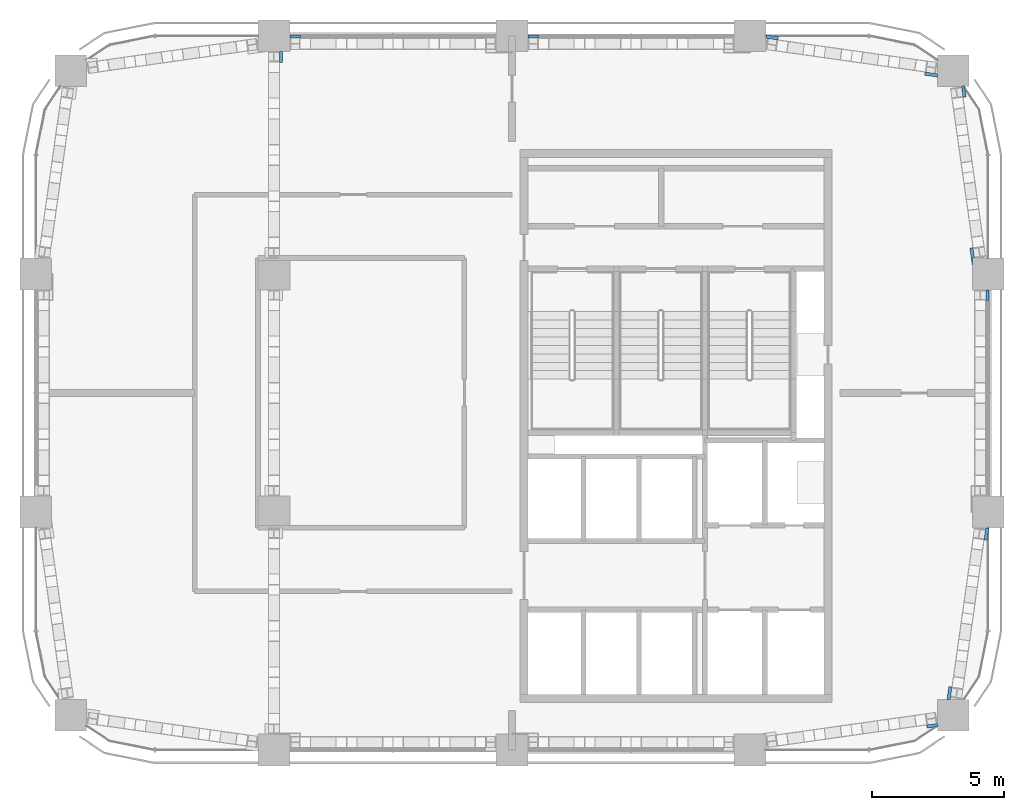
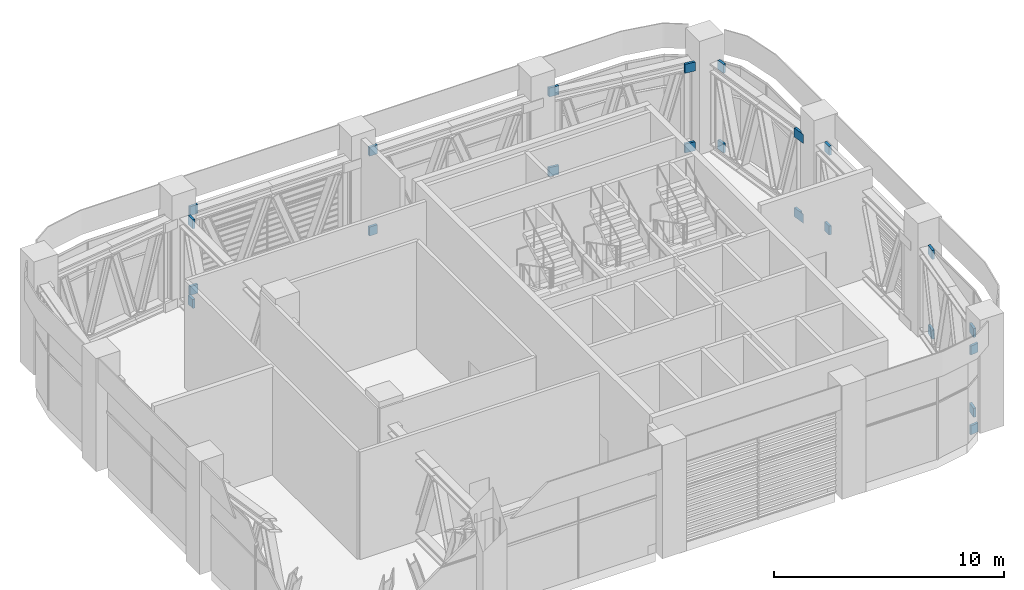
# One storey, part 12 of 14: 22 discrete accessories.
"""IFC4 building model written with IfcOpenShell, lengths in metres."""

from ifc_helpers import new_model, si_unit, direction, frame, origin, place, context, subcontext, project, spatial, polyline, outline, extrude, element, save


model = new_model("IFC4")

# Units and contexts
model_context = context("Model", 3, precision=1e-05, world=origin(), true_north=direction((0.0, 1.0)))
body_context = subcontext(model_context, "Body", "Model", "MODEL_VIEW")
ifc_project = project(units=[si_unit("LENGTHUNIT", "METRE"), si_unit("AREAUNIT", "SQUARE_METRE"), si_unit("VOLUMEUNIT", "CUBIC_METRE"), si_unit("PLANEANGLEUNIT", "RADIAN"), si_unit("MASSUNIT", "GRAM", prefix="KILO")], contexts=[model_context])

# Site, building, storey
site_placement = place(None, origin())
site = spatial("IfcSite", under=ifc_project, at=site_placement, CompositionType="ELEMENT")
building_placement = place(site_placement, origin())
building = spatial("IfcBuilding", under=site, at=building_placement, Name="Tessera Arch", CompositionType="ELEMENT")
storey_placement = place(building_placement, frame((0.0, 0.0, 295.199951171875)))
storey = spatial("IfcBuildingStorey", under=building, at=storey_placement, Name="L71", CompositionType="ELEMENT", Elevation=295.199951171875)

# Discrete accessories
discrete_accessory_1_placement = place(storey_placement, frame((0.0, 0.0, 4.225830078125)))
element("IfcDiscreteAccessory", 1, at=discrete_accessory_1_placement, inside=storey, Name="Chord seat bracket", PredefinedType="BRACKET", context=body_context, shape_type="SweptSolid", body=[
    extrude(outline(polyline([(53.912109375, 44.0), (53.912109375, 44.39990234375), (54.031982421875, 44.39990234375), (54.031982421875, 44.0), (53.912109375, 44.0)])), origin(), (0.0, 0.0, 1.0), 0.47412109375),
])
discrete_accessory_2_placement = place(storey_placement, origin())
element("IfcDiscreteAccessory", 2, at=discrete_accessory_2_placement, inside=storey, Name="Chord seat bracket", PredefinedType="BRACKET", context=body_context, shape_type="SweptSolid", body=[
    extrude(outline(polyline([(53.912109375, 44.0), (53.912109375, 44.39990234375), (54.031982421875, 44.39990234375), (54.031982421875, 44.0), (53.912109375, 44.0)])), origin(), (0.0, 0.0, 1.0), 0.474365234375),
])
discrete_accessory_3_placement = place(storey_placement, frame((0.0, 0.0, 4.225830078125)))
element("IfcDiscreteAccessory", 3, at=discrete_accessory_3_placement, inside=storey, Name="Chord seat bracket", PredefinedType="BRACKET", context=body_context, shape_type="SweptSolid", body=[
    extrude(outline(polyline([(53.4267578125, 45.99609375), (53.48291015625, 45.60009765625), (53.39990234375, 45.60009765625), (53.39990234375, 45.3291015625), (53.30810546875, 45.979248046875), (53.4267578125, 45.99609375)])), origin(), (0.0, 0.0, 1.0), 0.47412109375),
])
discrete_accessory_4_placement = place(storey_placement, frame((0.0, 0.0, 4.225830078125)))
element("IfcDiscreteAccessory", 4, at=discrete_accessory_4_placement, inside=storey, Name="Chord seat bracket", PredefinedType="BRACKET", context=body_context, shape_type="SweptSolid", body=[
    extrude(outline(polyline([(53.0517578125, 51.673583984375), (52.994140625, 52.08203125), (53.115234375, 52.08203125), (53.170654296875, 51.6904296875), (53.0517578125, 51.673583984375)])), origin(), (0.0, 0.0, 1.0), 0.47412109375),
])
discrete_accessory_5_placement = place(storey_placement, origin())
element("IfcDiscreteAccessory", 5, at=discrete_accessory_5_placement, inside=storey, Name="Chord seat bracket", PredefinedType="BRACKET", context=body_context, shape_type="SweptSolid", body=[
    extrude(outline(polyline([(53.4267578125, 45.99609375), (53.48291015625, 45.60009765625), (53.39990234375, 45.60009765625), (53.39990234375, 45.3291015625), (53.30810546875, 45.979248046875), (53.4267578125, 45.99609375)])), origin(), (0.0, 0.0, 1.0), 0.474365234375),
])
discrete_accessory_6_placement = place(storey_placement, origin())
element("IfcDiscreteAccessory", 6, at=discrete_accessory_6_placement, inside=storey, Name="Chord seat bracket", PredefinedType="BRACKET", context=body_context, shape_type="SweptSolid", body=[
    extrude(outline(polyline([(53.0517578125, 51.673583984375), (52.994140625, 52.08203125), (53.115234375, 52.08203125), (53.170654296875, 51.6904296875), (53.0517578125, 51.673583984375)])), origin(), (0.0, 0.0, 1.0), 0.474365234375),
])
discrete_accessory_7_placement = place(storey_placement, frame((0.0, 0.0, 4.225830078125)))
element("IfcDiscreteAccessory", 7, at=discrete_accessory_7_placement, inside=storey, Name="Chord seat bracket", PredefinedType="BRACKET", context=body_context, shape_type="SweptSolid", body=[
    extrude(outline(polyline([(51.6142578125, 52.632080078125), (52.08203125, 52.56591796875), (52.08203125, 52.444580078125), (51.597412109375, 52.51318359375), (51.6142578125, 52.632080078125)])), origin(), (0.0, 0.0, 1.0), 0.47412109375),
])
discrete_accessory_8_placement = place(storey_placement, frame((0.0, 0.0, 4.225830078125)))
element("IfcDiscreteAccessory", 8, at=discrete_accessory_8_placement, inside=storey, Name="Chord seat bracket", PredefinedType="BRACKET", context=body_context, shape_type="SweptSolid", body=[
    extrude(outline(polyline([(46.055419921875, 53.8466796875), (45.60009765625, 53.9111328125), (45.60009765625, 54.0322265625), (46.072265625, 53.965576171875), (46.055419921875, 53.8466796875)])), origin(), (0.0, 0.0, 1.0), 0.47412109375),
])
discrete_accessory_9_placement = place(storey_placement, origin())
element("IfcDiscreteAccessory", 9, at=discrete_accessory_9_placement, inside=storey, Name="Chord seat bracket", PredefinedType="BRACKET", context=body_context, shape_type="SweptSolid", body=[
    extrude(outline(polyline([(51.6142578125, 52.632080078125), (52.08203125, 52.56591796875), (52.08203125, 52.444580078125), (51.597412109375, 52.51318359375), (51.6142578125, 52.632080078125)])), origin(), (0.0, 0.0, 1.0), 0.474365234375),
])
discrete_accessory_10_placement = place(storey_placement, origin())
element("IfcDiscreteAccessory", 10, at=discrete_accessory_10_placement, inside=storey, Name="Chord seat bracket", PredefinedType="BRACKET", context=body_context, shape_type="SweptSolid", body=[
    extrude(outline(polyline([(46.055419921875, 53.8466796875), (45.60009765625, 53.9111328125), (45.60009765625, 54.0322265625), (46.072265625, 53.965576171875), (46.055419921875, 53.8466796875)])), origin(), (0.0, 0.0, 1.0), 0.474365234375),
])
discrete_accessory_11_placement = place(storey_placement, frame((0.0, 0.0, 4.225830078125)))
element("IfcDiscreteAccessory", 11, at=discrete_accessory_11_placement, inside=storey, Name="Chord seat bracket", PredefinedType="BRACKET", context=body_context, shape_type="SweptSolid", body=[
    extrude(outline(polyline([(36.60009765625, 53.912109375), (36.60009765625, 54.031982421875), (37.0, 54.031982421875), (37.0, 53.912109375), (36.60009765625, 53.912109375)])), origin(), (0.0, 0.0, 1.0), 0.47412109375),
])
discrete_accessory_12_placement = place(storey_placement, origin())
element("IfcDiscreteAccessory", 12, at=discrete_accessory_12_placement, inside=storey, Name="Chord seat bracket", PredefinedType="BRACKET", context=body_context, shape_type="SweptSolid", body=[
    extrude(outline(polyline([(36.60009765625, 53.912109375), (36.60009765625, 54.031982421875), (37.0, 54.031982421875), (37.0, 53.912109375), (36.60009765625, 53.912109375)])), origin(), (0.0, 0.0, 1.0), 0.474365234375),
])
discrete_accessory_13_placement = place(storey_placement, frame((0.0, 0.0, 4.225830078125)))
element("IfcDiscreteAccessory", 13, at=discrete_accessory_13_placement, inside=storey, Name="Chord seat bracket", PredefinedType="BRACKET", context=body_context, shape_type="SweptSolid", body=[
    extrude(outline(polyline([(28.0, 53.912109375), (27.60009765625, 53.912109375), (27.60009765625, 54.031982421875), (28.0, 54.031982421875), (28.0, 53.912109375)])), origin(), (0.0, 0.0, 1.0), 0.47412109375),
])
discrete_accessory_14_placement = place(storey_placement, origin())
element("IfcDiscreteAccessory", 14, at=discrete_accessory_14_placement, inside=storey, Name="Chord seat bracket", PredefinedType="BRACKET", context=body_context, shape_type="SweptSolid", body=[
    extrude(outline(polyline([(28.0, 53.912109375), (27.60009765625, 53.912109375), (27.60009765625, 54.031982421875), (28.0, 54.031982421875), (28.0, 53.912109375)])), origin(), (0.0, 0.0, 1.0), 0.474365234375),
])
discrete_accessory_15_placement = place(storey_placement, frame((0.0, 0.0, 4.225830078125)))
element("IfcDiscreteAccessory", 15, at=discrete_accessory_15_placement, inside=storey, Name="Chord seat bracket", PredefinedType="BRACKET", context=body_context, shape_type="SweptSolid", body=[
    extrude(outline(polyline([(51.673583984375, 27.9482421875), (52.08203125, 28.005859375), (52.08203125, 27.884765625), (51.6904296875, 27.829345703125), (51.673583984375, 27.9482421875)])), origin(), (0.0, 0.0, 1.0), 0.47412109375),
])
discrete_accessory_16_placement = place(storey_placement, origin())
element("IfcDiscreteAccessory", 16, at=discrete_accessory_16_placement, inside=storey, Name="Chord seat bracket", PredefinedType="BRACKET", context=body_context, shape_type="SweptSolid", body=[
    extrude(outline(polyline([(51.673583984375, 27.9482421875), (52.08203125, 28.005859375), (52.08203125, 27.884765625), (51.6904296875, 27.829345703125), (51.673583984375, 27.9482421875)])), origin(), (0.0, 0.0, 1.0), 0.474365234375),
])
discrete_accessory_17_placement = place(storey_placement, frame((0.0, 0.0, 4.225830078125)))
element("IfcDiscreteAccessory", 17, at=discrete_accessory_17_placement, inside=storey, Name="Chord seat bracket", PredefinedType="BRACKET", context=body_context, shape_type="SweptSolid", body=[
    extrude(outline(polyline([(52.632080078125, 29.3857421875), (52.56591796875, 28.91796875), (52.444580078125, 28.91796875), (52.51318359375, 29.402587890625), (52.632080078125, 29.3857421875)])), origin(), (0.0, 0.0, 1.0), 0.47412109375),
])
discrete_accessory_18_placement = place(storey_placement, frame((0.0, 0.0, 4.225830078125)))
element("IfcDiscreteAccessory", 18, at=discrete_accessory_18_placement, inside=storey, Name="Chord seat bracket", PredefinedType="BRACKET", context=body_context, shape_type="SweptSolid", body=[
    extrude(outline(polyline([(53.9111328125, 35.39990234375), (54.0322265625, 35.39990234375), (53.965576171875, 34.927734375), (53.8466796875, 34.944580078125), (53.9111328125, 35.39990234375)])), origin(), (0.0, 0.0, 1.0), 0.47412109375),
])
discrete_accessory_19_placement = place(storey_placement, origin())
element("IfcDiscreteAccessory", 19, at=discrete_accessory_19_placement, inside=storey, Name="Chord seat bracket", PredefinedType="BRACKET", context=body_context, shape_type="SweptSolid", body=[
    extrude(outline(polyline([(52.632080078125, 29.3857421875), (52.56591796875, 28.91796875), (52.444580078125, 28.91796875), (52.51318359375, 29.402587890625), (52.632080078125, 29.3857421875)])), origin(), (0.0, 0.0, 1.0), 0.474365234375),
])
discrete_accessory_20_placement = place(storey_placement, origin())
element("IfcDiscreteAccessory", 20, at=discrete_accessory_20_placement, inside=storey, Name="Chord seat bracket", PredefinedType="BRACKET", context=body_context, shape_type="SweptSolid", body=[
    extrude(outline(polyline([(53.9111328125, 35.39990234375), (54.0322265625, 35.39990234375), (53.965576171875, 34.927734375), (53.8466796875, 34.944580078125), (53.9111328125, 35.39990234375)])), origin(), (0.0, 0.0, 1.0), 0.474365234375),
])
discrete_accessory_21_placement = place(storey_placement, frame((0.0, 0.0, 4.225830078125)))
element("IfcDiscreteAccessory", 21, at=discrete_accessory_21_placement, inside=storey, Name="Chord seat bracket", PredefinedType="BRACKET", context=body_context, shape_type="SweptSolid", body=[
    extrude(outline(polyline([(27.2119140625, 53.0), (27.2119140625, 53.39990234375), (27.33203125, 53.39990234375), (27.33203125, 53.0), (27.2119140625, 53.0)])), origin(), (0.0, 0.0, 1.0), 0.47412109375),
])
discrete_accessory_22_placement = place(storey_placement, origin())
element("IfcDiscreteAccessory", 22, at=discrete_accessory_22_placement, inside=storey, Name="Chord seat bracket", PredefinedType="BRACKET", context=body_context, shape_type="SweptSolid", body=[
    extrude(outline(polyline([(27.2119140625, 53.0), (27.2119140625, 53.39990234375), (27.33203125, 53.39990234375), (27.33203125, 53.0), (27.2119140625, 53.0)])), origin(), (0.0, 0.0, 1.0), 0.474365234375),
])

save(model, "model.ifc")
